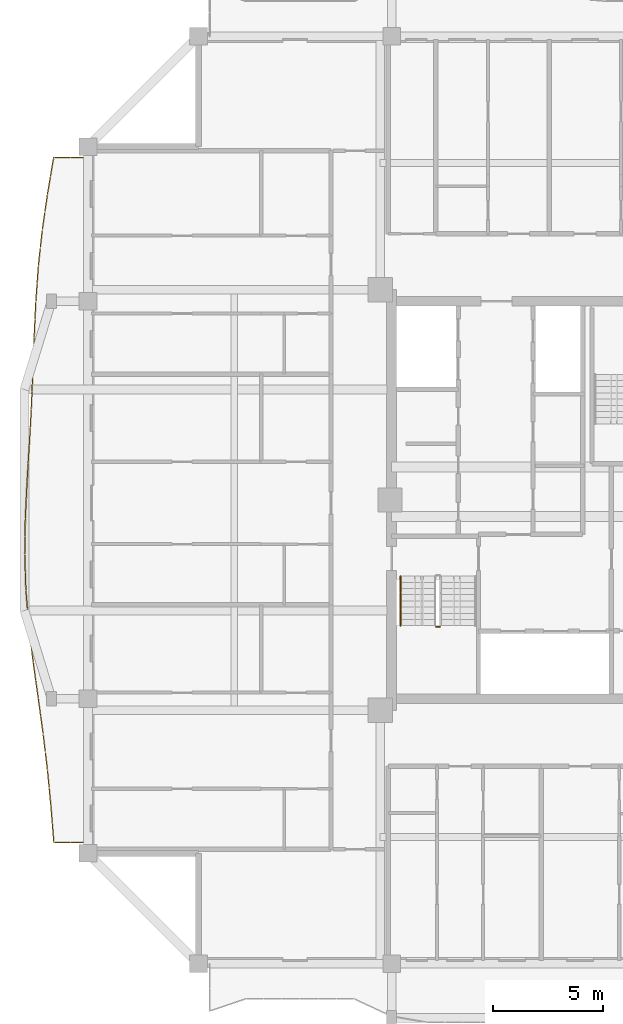
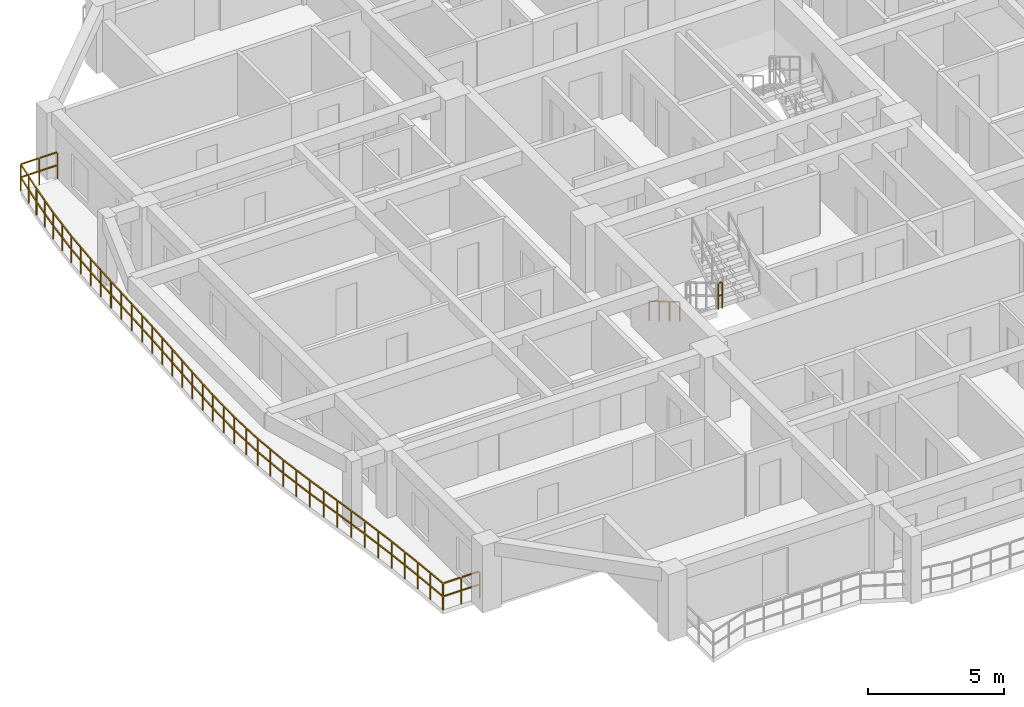
# One storey, part 10 of 13: 3 railings.
"""IFC4 building model written with IfcOpenShell, lengths in metres."""

from ifc_helpers import new_model, si_unit, direction, frame, origin, origin_2d, place, context, subcontext, project, spatial, rectangle, extrude, material, type_object, element, save


model = new_model("IFC4")

# Units and contexts
model_context = context("Model", 3, precision=1e-05, world=origin(), true_north=direction((0.0, 1.0)))
body_context = subcontext(model_context, "Body", "Model", "MODEL_VIEW")
ifc_project = project(units=[si_unit("LENGTHUNIT", "METRE"), si_unit("AREAUNIT", "SQUARE_METRE"), si_unit("VOLUMEUNIT", "CUBIC_METRE"), si_unit("PLANEANGLEUNIT", "RADIAN"), si_unit("MASSUNIT", "GRAM", prefix="KILO")], contexts=[model_context])

# Site, building, storey
site_placement = place(None, origin())
site = spatial("IfcSite", under=ifc_project, at=site_placement, CompositionType="ELEMENT")
building_placement = place(site_placement, origin())
building = spatial("IfcBuilding", under=site, at=building_placement, Name="Saelheon Loggia Tower", CompositionType="ELEMENT")
storey_placement = place(building_placement, frame((0.0, 0.0, 179.800048828125)))
storey = spatial("IfcBuildingStorey", under=building, at=storey_placement, Name="L56", CompositionType="ELEMENT", Elevation=179.800048828125)

# Railings
ifc_material_1 = material(Name="Architectural Precast Concrete and Laminated Glass Guard", Category="concrete")
railing_type_1 = type_object("IfcRailingType", Name="Guard_Loggia_RL_LOG", PredefinedType="BALUSTRADE", material=ifc_material_1)
railing_1_placement = place(storey_placement, frame((17.75, 42.5, 0.0)))
element("IfcRailing", 1, at=railing_1_placement, inside=storey, type_object=railing_type_1, Name="L56 West Loggia Balustrade", PredefinedType="BALUSTRADE", context=body_context, shape_type="SweptSolid", body=[
    extrude(rectangle(XDim=0.048095703125, YDim=0.048095703125, at=origin_2d()), frame((-0.033203125, 0.0, 1.19580078125), z_axis=(-1.0, 0.0, 0.0), x_axis=(0.0, -1.0, 0.0)), (0.0, 0.0, 1.0), 0.71337890625),
    extrude(rectangle(XDim=0.048095703125, YDim=0.048095703125, at=origin_2d()), frame((-0.033203125, 0.0, 0.60986328125), z_axis=(-1.0, 0.0, 0.0), x_axis=(0.0, -1.0, 0.0)), (0.0, 0.0, 1.0), 0.71337890625),
    extrude(rectangle(XDim=0.048095703125, YDim=0.048095703125, at=origin_2d()), frame((-0.813232421875, 0.0, 1.19580078125), z_axis=(-1.0, 0.0, 0.0), x_axis=(0.0, -1.0, 0.0)), (0.0, 0.0, 1.0), 0.71337890625),
    extrude(rectangle(XDim=0.048095703125, YDim=0.048095703125, at=origin_2d()), frame((-0.813232421875, 0.0, 0.60986328125), z_axis=(-1.0, 0.0, 0.0), x_axis=(0.0, -1.0, 0.0)), (0.0, 0.0, 1.0), 0.71337890625),
    extrude(rectangle(XDim=0.048095703125, YDim=0.048095703125, at=origin_2d()), frame((-1.5654296875, -0.03271484375, 1.19580078125), z_axis=(-0.167149551065, -0.985931553192, 0.0), x_axis=(0.985931553192, -0.167149551065, 0.0)), (0.0, 0.0, 1.0), 0.760986328125),
    extrude(rectangle(XDim=0.048095703125, YDim=0.048095703125, at=origin_2d()), frame((-1.5654296875, -0.03271484375, 0.60986328125), z_axis=(-0.167149551065, -0.985931553192, 0.0), x_axis=(0.985931553192, -0.167149551065, 0.0)), (0.0, 0.0, 1.0), 0.760986328125),
    extrude(rectangle(XDim=0.048095703125, YDim=0.048095703125, at=origin_2d()), frame((-1.70361328125, -0.8486328125, 1.19580078125), z_axis=(-0.167149551065, -0.985931553192, 0.0), x_axis=(0.985931553192, -0.167149551065, 0.0)), (0.0, 0.0, 1.0), 0.760986328125),
    extrude(rectangle(XDim=0.048095703125, YDim=0.048095703125, at=origin_2d()), frame((-1.70361328125, -0.8486328125, 0.60986328125), z_axis=(-0.167149551065, -0.985931553192, 0.0), x_axis=(0.985931553192, -0.167149551065, 0.0)), (0.0, 0.0, 1.0), 0.760986328125),
    extrude(rectangle(XDim=0.048095703125, YDim=0.048095703125, at=origin_2d()), frame((-1.84130859375, -1.66455078125, 1.19580078125), z_axis=(-0.144074303004, -0.989566872533, 0.0), x_axis=(0.989566872533, -0.144074303004, 0.0)), (0.0, 0.0, 1.0), 0.7578125),
    extrude(rectangle(XDim=0.048095703125, YDim=0.048095703125, at=origin_2d()), frame((-1.84130859375, -1.66455078125, 0.60986328125), z_axis=(-0.144074303004, -0.989566872533, 0.0), x_axis=(0.989566872533, -0.144074303004, 0.0)), (0.0, 0.0, 1.0), 0.7578125),
    extrude(rectangle(XDim=0.048095703125, YDim=0.048095703125, at=origin_2d()), frame((-1.9599609375, -2.480224609375, 1.19580078125), z_axis=(-0.144074303004, -0.989566872533, 0.0), x_axis=(0.989566872533, -0.144074303004, 0.0)), (0.0, 0.0, 1.0), 0.7578125),
    extrude(rectangle(XDim=0.048095703125, YDim=0.048095703125, at=origin_2d()), frame((-1.9599609375, -2.480224609375, 0.60986328125), z_axis=(-0.144074303004, -0.989566872533, 0.0), x_axis=(0.989566872533, -0.144074303004, 0.0)), (0.0, 0.0, 1.0), 0.7578125),
    extrude(rectangle(XDim=0.048095703125, YDim=0.048095703125, at=origin_2d()), frame((-2.07763671875, -3.296142578125, 1.19580078125), z_axis=(-0.107998454426, -0.994151061882, 0.0), x_axis=(0.994151061882, -0.107998454426, 0.0)), (0.0, 0.0, 1.0), 0.754150390625),
    extrude(rectangle(XDim=0.048095703125, YDim=0.048095703125, at=origin_2d()), frame((-2.07763671875, -3.296142578125, 0.60986328125), z_axis=(-0.107998454426, -0.994151061882, 0.0), x_axis=(0.994151061882, -0.107998454426, 0.0)), (0.0, 0.0, 1.0), 0.754150390625),
    extrude(rectangle(XDim=0.048095703125, YDim=0.048095703125, at=origin_2d()), frame((-2.166259765625, -4.112060546875, 1.19580078125), z_axis=(-0.107998454426, -0.994151061882, 0.0), x_axis=(0.994151061882, -0.107998454426, 0.0)), (0.0, 0.0, 1.0), 0.754150390625),
    extrude(rectangle(XDim=0.048095703125, YDim=0.048095703125, at=origin_2d()), frame((-2.166259765625, -4.112060546875, 0.60986328125), z_axis=(-0.107998454426, -0.994151061882, 0.0), x_axis=(0.994151061882, -0.107998454426, 0.0)), (0.0, 0.0, 1.0), 0.754150390625),
    extrude(rectangle(XDim=0.048095703125, YDim=0.048095703125, at=origin_2d()), frame((-2.253662109375, -4.927978515625, 1.19580078125), z_axis=(-0.071491000488, -0.997441244811, 0.0), x_axis=(0.997441244811, -0.071491000488, 0.0)), (0.0, 0.0, 1.0), 0.75146484375),
    extrude(rectangle(XDim=0.048095703125, YDim=0.048095703125, at=origin_2d()), frame((-2.253662109375, -4.927978515625, 0.60986328125), z_axis=(-0.071491000488, -0.997441244811, 0.0), x_axis=(0.997441244811, -0.071491000488, 0.0)), (0.0, 0.0, 1.0), 0.75146484375),
    extrude(rectangle(XDim=0.048095703125, YDim=0.048095703125, at=origin_2d()), frame((-2.31201171875, -5.74365234375, 1.19580078125), z_axis=(-0.071491000488, -0.997441244811, 0.0), x_axis=(0.997441244811, -0.071491000488, 0.0)), (0.0, 0.0, 1.0), 0.75146484375),
    extrude(rectangle(XDim=0.048095703125, YDim=0.048095703125, at=origin_2d()), frame((-2.31201171875, -5.74365234375, 0.60986328125), z_axis=(-0.071491000488, -0.997441244811, 0.0), x_axis=(0.997441244811, -0.071491000488, 0.0)), (0.0, 0.0, 1.0), 0.75146484375),
    extrude(rectangle(XDim=0.048095703125, YDim=0.048095703125, at=origin_2d()), frame((-2.36962890625, -6.5595703125, 1.19580078125), z_axis=(-0.045739897539, -0.998953383183, 0.0), x_axis=(0.998953383183, -0.045739897539, 0.0)), (0.0, 0.0, 1.0), 0.750244140625),
    extrude(rectangle(XDim=0.048095703125, YDim=0.048095703125, at=origin_2d()), frame((-2.36962890625, -6.5595703125, 0.60986328125), z_axis=(-0.045739897539, -0.998953383183, 0.0), x_axis=(0.998953383183, -0.045739897539, 0.0)), (0.0, 0.0, 1.0), 0.750244140625),
    extrude(rectangle(XDim=0.048095703125, YDim=0.048095703125, at=origin_2d()), frame((-2.406982421875, -7.375244140625, 1.19580078125), z_axis=(-0.045739897539, -0.998953383183, 0.0), x_axis=(0.998953383183, -0.045739897539, 0.0)), (0.0, 0.0, 1.0), 0.750244140625),
    extrude(rectangle(XDim=0.048095703125, YDim=0.048095703125, at=origin_2d()), frame((-2.406982421875, -7.375244140625, 0.60986328125), z_axis=(-0.045739897539, -0.998953383183, 0.0), x_axis=(0.998953383183, -0.045739897539, 0.0)), (0.0, 0.0, 1.0), 0.750244140625),
    extrude(rectangle(XDim=0.048095703125, YDim=0.048095703125, at=origin_2d()), frame((-2.444091796875, -8.191162109375, 1.19580078125), z_axis=(-0.037382202648, -0.999301041191, 0.0), x_axis=(0.999301041191, -0.037382202648, 0.0)), (0.0, 0.0, 1.0), 0.75),
    extrude(rectangle(XDim=0.048095703125, YDim=0.048095703125, at=origin_2d()), frame((-2.444091796875, -8.191162109375, 0.60986328125), z_axis=(-0.037382202648, -0.999301041191, 0.0), x_axis=(0.999301041191, -0.037382202648, 0.0)), (0.0, 0.0, 1.0), 0.75),
    extrude(rectangle(XDim=0.048095703125, YDim=0.048095703125, at=origin_2d()), frame((-2.474609375, -9.007080078125, 1.19580078125), z_axis=(-0.037382202648, -0.999301041191, 0.0), x_axis=(0.999301041191, -0.037382202648, 0.0)), (0.0, 0.0, 1.0), 0.75),
    extrude(rectangle(XDim=0.048095703125, YDim=0.048095703125, at=origin_2d()), frame((-2.474609375, -9.007080078125, 0.60986328125), z_axis=(-0.037382202648, -0.999301041191, 0.0), x_axis=(0.999301041191, -0.037382202648, 0.0)), (0.0, 0.0, 1.0), 0.75),
    extrude(rectangle(XDim=0.048095703125, YDim=0.048095703125, at=origin_2d()), frame((-2.50537109375, -9.82275390625, 1.19580078125), z_axis=(-0.043352887665, -0.999059821598, 0.0), x_axis=(0.999059821598, -0.043352887665, 0.0)), (0.0, 0.0, 1.0), 0.75),
    extrude(rectangle(XDim=0.048095703125, YDim=0.048095703125, at=origin_2d()), frame((-2.50537109375, -9.82275390625, 0.60986328125), z_axis=(-0.043352887665, -0.999059821598, 0.0), x_axis=(0.999059821598, -0.043352887665, 0.0)), (0.0, 0.0, 1.0), 0.75),
    extrude(rectangle(XDim=0.048095703125, YDim=0.048095703125, at=origin_2d()), frame((-2.540771484375, -10.638671875, 1.19580078125), z_axis=(-0.043352887665, -0.999059821598, 0.0), x_axis=(0.999059821598, -0.043352887665, 0.0)), (0.0, 0.0, 1.0), 0.75),
    extrude(rectangle(XDim=0.048095703125, YDim=0.048095703125, at=origin_2d()), frame((-2.540771484375, -10.638671875, 0.60986328125), z_axis=(-0.043352887665, -0.999059821598, 0.0), x_axis=(0.999059821598, -0.043352887665, 0.0)), (0.0, 0.0, 1.0), 0.75),
    extrude(rectangle(XDim=0.048095703125, YDim=0.048095703125, at=origin_2d()), frame((-2.576416015625, -11.454345703125, 1.19580078125), z_axis=(-0.054990000167, -0.998486905213, 0.0), x_axis=(0.998486905213, -0.054990000167, 0.0)), (0.0, 0.0, 1.0), 0.75048828125),
    extrude(rectangle(XDim=0.048095703125, YDim=0.048095703125, at=origin_2d()), frame((-2.576416015625, -11.454345703125, 0.60986328125), z_axis=(-0.054990000167, -0.998486905213, 0.0), x_axis=(0.998486905213, -0.054990000167, 0.0)), (0.0, 0.0, 1.0), 0.75048828125),
    extrude(rectangle(XDim=0.048095703125, YDim=0.048095703125, at=origin_2d()), frame((-2.621337890625, -12.27001953125, 1.19580078125), z_axis=(-0.054990000167, -0.998486905213, 0.0), x_axis=(0.998486905213, -0.054990000167, 0.0)), (0.0, 0.0, 1.0), 0.75048828125),
    extrude(rectangle(XDim=0.048095703125, YDim=0.048095703125, at=origin_2d()), frame((-2.621337890625, -12.27001953125, 0.60986328125), z_axis=(-0.054990000167, -0.998486905213, 0.0), x_axis=(0.998486905213, -0.054990000167, 0.0)), (0.0, 0.0, 1.0), 0.75048828125),
    extrude(rectangle(XDim=0.048095703125, YDim=0.048095703125, at=origin_2d()), frame((-2.66650390625, -13.085693359375, 1.19580078125), z_axis=(-0.05944876262, -0.998231358265, 0.0), x_axis=(0.998231358265, -0.05944876262, 0.0)), (0.0, 0.0, 1.0), 0.750732421875),
    extrude(rectangle(XDim=0.048095703125, YDim=0.048095703125, at=origin_2d()), frame((-2.66650390625, -13.085693359375, 0.60986328125), z_axis=(-0.05944876262, -0.998231358265, 0.0), x_axis=(0.998231358265, -0.05944876262, 0.0)), (0.0, 0.0, 1.0), 0.750732421875),
    extrude(rectangle(XDim=0.048095703125, YDim=0.048095703125, at=origin_2d()), frame((-2.715087890625, -13.9013671875, 1.19580078125), z_axis=(-0.05944876262, -0.998231358265, 0.0), x_axis=(0.998231358265, -0.05944876262, 0.0)), (0.0, 0.0, 1.0), 0.750732421875),
    extrude(rectangle(XDim=0.048095703125, YDim=0.048095703125, at=origin_2d()), frame((-2.715087890625, -13.9013671875, 0.60986328125), z_axis=(-0.05944876262, -0.998231358265, 0.0), x_axis=(0.998231358265, -0.05944876262, 0.0)), (0.0, 0.0, 1.0), 0.750732421875),
    extrude(rectangle(XDim=0.048095703125, YDim=0.048095703125, at=origin_2d()), frame((-2.76318359375, -14.71728515625, 1.19580078125), z_axis=(-0.047373442202, -0.998877248201, 0.0), x_axis=(0.998877248201, -0.047373442202, 0.0)), (0.0, 0.0, 1.0), 0.75048828125),
    extrude(rectangle(XDim=0.048095703125, YDim=0.048095703125, at=origin_2d()), frame((-2.76318359375, -14.71728515625, 0.60986328125), z_axis=(-0.047373442202, -0.998877248201, 0.0), x_axis=(0.998877248201, -0.047373442202, 0.0)), (0.0, 0.0, 1.0), 0.75048828125),
    extrude(rectangle(XDim=0.048095703125, YDim=0.048095703125, at=origin_2d()), frame((-2.802001953125, -15.533203125, 1.19580078125), z_axis=(-0.047373442202, -0.998877248201, 0.0), x_axis=(0.998877248201, -0.047373442202, 0.0)), (0.0, 0.0, 1.0), 0.75048828125),
    extrude(rectangle(XDim=0.048095703125, YDim=0.048095703125, at=origin_2d()), frame((-2.802001953125, -15.533203125, 0.60986328125), z_axis=(-0.047373442202, -0.998877248201, 0.0), x_axis=(0.998877248201, -0.047373442202, 0.0)), (0.0, 0.0, 1.0), 0.75048828125),
    extrude(rectangle(XDim=0.048095703125, YDim=0.048095703125, at=origin_2d()), frame((-2.839599609375, -16.34912109375, 1.19580078125), z_axis=(-0.015559989428, -0.999878936036, 0.0), x_axis=(0.999878936036, -0.015559989428, 0.0)), (0.0, 0.0, 1.0), 0.74951171875),
    extrude(rectangle(XDim=0.048095703125, YDim=0.048095703125, at=origin_2d()), frame((-2.839599609375, -16.34912109375, 0.60986328125), z_axis=(-0.015559989428, -0.999878936036, 0.0), x_axis=(0.999878936036, -0.015559989428, 0.0)), (0.0, 0.0, 1.0), 0.74951171875),
    extrude(rectangle(XDim=0.048095703125, YDim=0.048095703125, at=origin_2d()), frame((-2.852294921875, -17.1650390625, 1.19580078125), z_axis=(-0.015559989428, -0.999878936036, 0.0), x_axis=(0.999878936036, -0.015559989428, 0.0)), (0.0, 0.0, 1.0), 0.74951171875),
    extrude(rectangle(XDim=0.048095703125, YDim=0.048095703125, at=origin_2d()), frame((-2.852294921875, -17.1650390625, 0.60986328125), z_axis=(-0.015559989428, -0.999878936036, 0.0), x_axis=(0.999878936036, -0.015559989428, 0.0)), (0.0, 0.0, 1.0), 0.74951171875),
    extrude(rectangle(XDim=0.048095703125, YDim=0.048095703125, at=origin_2d()), frame((-2.863525390625, -17.980712890625, 1.19580078125), z_axis=(0.030963894681, -0.999520503655, 0.0), x_axis=(0.999520503655, 0.030963894681, 0.0)), (0.0, 0.0, 1.0), 0.74951171875),
    extrude(rectangle(XDim=0.048095703125, YDim=0.048095703125, at=origin_2d()), frame((-2.863525390625, -17.980712890625, 0.60986328125), z_axis=(0.030963894681, -0.999520503655, 0.0), x_axis=(0.999520503655, 0.030963894681, 0.0)), (0.0, 0.0, 1.0), 0.74951171875),
    extrude(rectangle(XDim=0.048095703125, YDim=0.048095703125, at=origin_2d()), frame((-2.838134765625, -18.79638671875, 1.19580078125), z_axis=(0.030963894681, -0.999520503655, 0.0), x_axis=(0.999520503655, 0.030963894681, 0.0)), (0.0, 0.0, 1.0), 0.74951171875),
    extrude(rectangle(XDim=0.048095703125, YDim=0.048095703125, at=origin_2d()), frame((-2.838134765625, -18.79638671875, 0.60986328125), z_axis=(0.030963894681, -0.999520503655, 0.0), x_axis=(0.999520503655, 0.030963894681, 0.0)), (0.0, 0.0, 1.0), 0.74951171875),
    extrude(rectangle(XDim=0.048095703125, YDim=0.048095703125, at=origin_2d()), frame((-2.811279296875, -19.612060546875, 1.19580078125), z_axis=(0.080243172339, -0.996775317357, 0.0), x_axis=(0.996775317357, 0.080243172339, 0.0)), (0.0, 0.0, 1.0), 0.751953125),
    extrude(rectangle(XDim=0.048095703125, YDim=0.048095703125, at=origin_2d()), frame((-2.811279296875, -19.612060546875, 0.60986328125), z_axis=(0.080243172339, -0.996775317357, 0.0), x_axis=(0.996775317357, 0.080243172339, 0.0)), (0.0, 0.0, 1.0), 0.751953125),
    extrude(rectangle(XDim=0.048095703125, YDim=0.048095703125, at=origin_2d()), frame((-2.74560546875, -20.427734375, 1.19580078125), z_axis=(0.080243172339, -0.996775317357, 0.0), x_axis=(0.996775317357, 0.080243172339, 0.0)), (0.0, 0.0, 1.0), 0.751953125),
    extrude(rectangle(XDim=0.048095703125, YDim=0.048095703125, at=origin_2d()), frame((-2.74560546875, -20.427734375, 0.60986328125), z_axis=(0.080243172339, -0.996775317357, 0.0), x_axis=(0.996775317357, 0.080243172339, 0.0)), (0.0, 0.0, 1.0), 0.751953125),
    extrude(rectangle(XDim=0.048095703125, YDim=0.048095703125, at=origin_2d()), frame((-2.6787109375, -21.243408203125, 1.19580078125), z_axis=(0.119151078954, -0.992876135469, 0.0), x_axis=(0.992876135469, 0.119151078954, 0.0)), (0.0, 0.0, 1.0), 0.755126953125),
    extrude(rectangle(XDim=0.048095703125, YDim=0.048095703125, at=origin_2d()), frame((-2.6787109375, -21.243408203125, 0.60986328125), z_axis=(0.119151078954, -0.992876135469, 0.0), x_axis=(0.992876135469, 0.119151078954, 0.0)), (0.0, 0.0, 1.0), 0.755126953125),
    extrude(rectangle(XDim=0.048095703125, YDim=0.048095703125, at=origin_2d()), frame((-2.580810546875, -22.059326171875, 1.19580078125), z_axis=(0.119151078954, -0.992876135469, 0.0), x_axis=(0.992876135469, 0.119151078954, 0.0)), (0.0, 0.0, 1.0), 0.755126953125),
    extrude(rectangle(XDim=0.048095703125, YDim=0.048095703125, at=origin_2d()), frame((-2.580810546875, -22.059326171875, 0.60986328125), z_axis=(0.119151078954, -0.992876135469, 0.0), x_axis=(0.992876135469, 0.119151078954, 0.0)), (0.0, 0.0, 1.0), 0.755126953125),
    extrude(rectangle(XDim=0.048095703125, YDim=0.048095703125, at=origin_2d()), frame((-2.482177734375, -22.875, 1.19580078125), z_axis=(0.138412382721, -0.990374682789, 0.0), x_axis=(0.990374682789, 0.138412382721, 0.0)), (0.0, 0.0, 1.0), 0.75732421875),
    extrude(rectangle(XDim=0.048095703125, YDim=0.048095703125, at=origin_2d()), frame((-2.482177734375, -22.875, 0.60986328125), z_axis=(0.138412382721, -0.990374682789, 0.0), x_axis=(0.990374682789, 0.138412382721, 0.0)), (0.0, 0.0, 1.0), 0.75732421875),
    extrude(rectangle(XDim=0.048095703125, YDim=0.048095703125, at=origin_2d()), frame((-2.3681640625, -23.690673828125, 1.19580078125), z_axis=(0.138412382721, -0.990374682789, 0.0), x_axis=(0.990374682789, 0.138412382721, 0.0)), (0.0, 0.0, 1.0), 0.75732421875),
    extrude(rectangle(XDim=0.048095703125, YDim=0.048095703125, at=origin_2d()), frame((-2.3681640625, -23.690673828125, 0.60986328125), z_axis=(0.138412382721, -0.990374682789, 0.0), x_axis=(0.990374682789, 0.138412382721, 0.0)), (0.0, 0.0, 1.0), 0.75732421875),
    extrude(rectangle(XDim=0.048095703125, YDim=0.048095703125, at=origin_2d()), frame((-2.254150390625, -24.506591796875, 1.19580078125), z_axis=(0.136231070646, -0.990677089364, 0.0), x_axis=(0.990677089364, 0.136231070646, 0.0)), (0.0, 0.0, 1.0), 0.757080078125),
    extrude(rectangle(XDim=0.048095703125, YDim=0.048095703125, at=origin_2d()), frame((-2.254150390625, -24.506591796875, 0.60986328125), z_axis=(0.136231070646, -0.990677089364, 0.0), x_axis=(0.990677089364, 0.136231070646, 0.0)), (0.0, 0.0, 1.0), 0.757080078125),
    extrude(rectangle(XDim=0.048095703125, YDim=0.048095703125, at=origin_2d()), frame((-2.14208984375, -25.322265625, 1.19580078125), z_axis=(0.136231070646, -0.990677089364, 0.0), x_axis=(0.990677089364, 0.136231070646, 0.0)), (0.0, 0.0, 1.0), 0.757080078125),
    extrude(rectangle(XDim=0.048095703125, YDim=0.048095703125, at=origin_2d()), frame((-2.14208984375, -25.322265625, 0.60986328125), z_axis=(0.136231070646, -0.990677089364, 0.0), x_axis=(0.990677089364, 0.136231070646, 0.0)), (0.0, 0.0, 1.0), 0.757080078125),
    extrude(rectangle(XDim=0.048095703125, YDim=0.048095703125, at=origin_2d()), frame((-2.030517578125, -26.13818359375, 1.19580078125), z_axis=(0.118418690812, -0.992963752443, 0.0), x_axis=(0.992963752443, 0.118418690812, 0.0)), (0.0, 0.0, 1.0), 0.755126953125),
    extrude(rectangle(XDim=0.048095703125, YDim=0.048095703125, at=origin_2d()), frame((-2.030517578125, -26.13818359375, 0.60986328125), z_axis=(0.118418690812, -0.992963752443, 0.0), x_axis=(0.992963752443, 0.118418690812, 0.0)), (0.0, 0.0, 1.0), 0.755126953125),
    extrude(rectangle(XDim=0.048095703125, YDim=0.048095703125, at=origin_2d()), frame((-1.93310546875, -26.9541015625, 1.19580078125), z_axis=(0.118418690812, -0.992963752443, 0.0), x_axis=(0.992963752443, 0.118418690812, 0.0)), (0.0, 0.0, 1.0), 0.755126953125),
    extrude(rectangle(XDim=0.048095703125, YDim=0.048095703125, at=origin_2d()), frame((-1.93310546875, -26.9541015625, 0.60986328125), z_axis=(0.118418690812, -0.992963752443, 0.0), x_axis=(0.992963752443, 0.118418690812, 0.0)), (0.0, 0.0, 1.0), 0.755126953125),
    extrude(rectangle(XDim=0.048095703125, YDim=0.048095703125, at=origin_2d()), frame((-1.836669921875, -27.769775390625, 1.19580078125), z_axis=(0.096067152707, -0.995374855103, 0.0), x_axis=(0.995374855103, 0.096067152707, 0.0)), (0.0, 0.0, 1.0), 0.753173828125),
    extrude(rectangle(XDim=0.048095703125, YDim=0.048095703125, at=origin_2d()), frame((-1.836669921875, -27.769775390625, 0.60986328125), z_axis=(0.096067152707, -0.995374855103, 0.0), x_axis=(0.995374855103, 0.096067152707, 0.0)), (0.0, 0.0, 1.0), 0.753173828125),
    extrude(rectangle(XDim=0.048095703125, YDim=0.048095703125, at=origin_2d()), frame((-1.7578125, -28.585693359375, 1.19580078125), z_axis=(0.096067152707, -0.995374855103, 0.0), x_axis=(0.995374855103, 0.096067152707, 0.0)), (0.0, 0.0, 1.0), 0.753173828125),
    extrude(rectangle(XDim=0.048095703125, YDim=0.048095703125, at=origin_2d()), frame((-1.7578125, -28.585693359375, 0.60986328125), z_axis=(0.096067152707, -0.995374855103, 0.0), x_axis=(0.995374855103, 0.096067152707, 0.0)), (0.0, 0.0, 1.0), 0.753173828125),
    extrude(rectangle(XDim=0.048095703125, YDim=0.048095703125, at=origin_2d()), frame((-1.6796875, -29.401611328125, 1.19580078125), z_axis=(0.080835891672, -0.996727424433, 0.0), x_axis=(0.996727424433, 0.080835891672, 0.0)), (0.0, 0.0, 1.0), 0.751953125),
    extrude(rectangle(XDim=0.048095703125, YDim=0.048095703125, at=origin_2d()), frame((-1.6796875, -29.401611328125, 0.60986328125), z_axis=(0.080835891672, -0.996727424433, 0.0), x_axis=(0.996727424433, 0.080835891672, 0.0)), (0.0, 0.0, 1.0), 0.751953125),
    extrude(rectangle(XDim=0.048095703125, YDim=0.048095703125, at=origin_2d()), frame((-1.613525390625, -30.21728515625, 1.19580078125), z_axis=(0.080835891672, -0.996727424433, 0.0), x_axis=(0.996727424433, 0.080835891672, 0.0)), (0.0, 0.0, 1.0), 0.751953125),
    extrude(rectangle(XDim=0.048095703125, YDim=0.048095703125, at=origin_2d()), frame((-1.613525390625, -30.21728515625, 0.60986328125), z_axis=(0.080835891672, -0.996727424433, 0.0), x_axis=(0.996727424433, 0.080835891672, 0.0)), (0.0, 0.0, 1.0), 0.751953125),
    extrude(rectangle(XDim=0.048095703125, YDim=0.048095703125, at=origin_2d()), frame((-1.516845703125, -31.0, 1.19580078125), z_axis=(1.0, 0.0, 0.0), x_axis=(0.0, 1.0, 0.0)), (0.0, 0.0, 1.0), 0.70849609375),
    extrude(rectangle(XDim=0.048095703125, YDim=0.048095703125, at=origin_2d()), frame((-1.516845703125, -31.0, 0.60986328125), z_axis=(1.0, 0.0, 0.0), x_axis=(0.0, 1.0, 0.0)), (0.0, 0.0, 1.0), 0.70849609375),
    extrude(rectangle(XDim=0.048095703125, YDim=0.048095703125, at=origin_2d()), frame((-0.74169921875, -31.0, 1.19580078125), z_axis=(1.0, 0.0, 0.0), x_axis=(0.0, 1.0, 0.0)), (0.0, 0.0, 1.0), 0.70849609375),
    extrude(rectangle(XDim=0.048095703125, YDim=0.048095703125, at=origin_2d()), frame((-0.74169921875, -31.0, 0.60986328125), z_axis=(1.0, 0.0, 0.0), x_axis=(0.0, 1.0, 0.0)), (0.0, 0.0, 1.0), 0.70849609375),
    extrude(rectangle(XDim=0.0419921875, YDim=0.0419921875, at=origin_2d()), origin(), (0.0, 0.0, 1.0), 1.16796875),
    extrude(rectangle(XDim=0.0419921875, YDim=0.0419921875, at=origin_2d()), frame((-0.77978515625, 0.0, 0.0)), (0.0, 0.0, 1.0), 1.16796875),
    extrude(rectangle(XDim=0.0419921875, YDim=0.0419921875, at=origin_2d()), frame((-1.559814453125, 0.0, 0.0)), (0.0, 0.0, 1.0), 1.16796875),
    extrude(rectangle(XDim=0.0419921875, YDim=0.0419921875, at=origin_2d()), frame((-1.6982421875, -0.81591796875, 0.0)), (0.0, 0.0, 1.0), 1.16796875),
    extrude(rectangle(XDim=0.0419921875, YDim=0.0419921875, at=origin_2d()), frame((-1.83642578125, -1.631591796875, 0.0)), (0.0, 0.0, 1.0), 1.16796875),
    extrude(rectangle(XDim=0.0419921875, YDim=0.0419921875, at=origin_2d()), frame((-1.955078125, -2.447265625, 0.0)), (0.0, 0.0, 1.0), 1.16796875),
    extrude(rectangle(XDim=0.0419921875, YDim=0.0419921875, at=origin_2d()), frame((-2.073974609375, -3.26318359375, 0.0)), (0.0, 0.0, 1.0), 1.16796875),
    extrude(rectangle(XDim=0.0419921875, YDim=0.0419921875, at=origin_2d()), frame((-2.16259765625, -4.0791015625, 0.0)), (0.0, 0.0, 1.0), 1.16796875),
    extrude(rectangle(XDim=0.0419921875, YDim=0.0419921875, at=origin_2d()), frame((-2.251220703125, -4.894775390625, 0.0)), (0.0, 0.0, 1.0), 1.16796875),
    extrude(rectangle(XDim=0.0419921875, YDim=0.0419921875, at=origin_2d()), frame((-2.3095703125, -5.71044921875, 0.0)), (0.0, 0.0, 1.0), 1.16796875),
    extrude(rectangle(XDim=0.0419921875, YDim=0.0419921875, at=origin_2d()), frame((-2.3681640625, -6.5263671875, 0.0)), (0.0, 0.0, 1.0), 1.16796875),
    extrude(rectangle(XDim=0.0419921875, YDim=0.0419921875, at=origin_2d()), frame((-2.405517578125, -7.34228515625, 0.0)), (0.0, 0.0, 1.0), 1.16796875),
    extrude(rectangle(XDim=0.0419921875, YDim=0.0419921875, at=origin_2d()), frame((-2.44287109375, -8.157958984375, 0.0)), (0.0, 0.0, 1.0), 1.16796875),
    extrude(rectangle(XDim=0.0419921875, YDim=0.0419921875, at=origin_2d()), frame((-2.473388671875, -8.9736328125, 0.0)), (0.0, 0.0, 1.0), 1.16796875),
    extrude(rectangle(XDim=0.0419921875, YDim=0.0419921875, at=origin_2d()), frame((-2.50390625, -9.78955078125, 0.0)), (0.0, 0.0, 1.0), 1.16796875),
    extrude(rectangle(XDim=0.0419921875, YDim=0.0419921875, at=origin_2d()), frame((-2.539306640625, -10.60546875, 0.0)), (0.0, 0.0, 1.0), 1.16796875),
    extrude(rectangle(XDim=0.0419921875, YDim=0.0419921875, at=origin_2d()), frame((-2.57470703125, -11.421142578125, 0.0)), (0.0, 0.0, 1.0), 1.16796875),
    extrude(rectangle(XDim=0.0419921875, YDim=0.0419921875, at=origin_2d()), frame((-2.61962890625, -12.23681640625, 0.0)), (0.0, 0.0, 1.0), 1.16796875),
    extrude(rectangle(XDim=0.0419921875, YDim=0.0419921875, at=origin_2d()), frame((-2.66455078125, -13.052490234375, 0.0)), (0.0, 0.0, 1.0), 1.16796875),
    extrude(rectangle(XDim=0.0419921875, YDim=0.0419921875, at=origin_2d()), frame((-2.713134765625, -13.8681640625, 0.0)), (0.0, 0.0, 1.0), 1.16796875),
    extrude(rectangle(XDim=0.0419921875, YDim=0.0419921875, at=origin_2d()), frame((-2.76171875, -14.68408203125, 0.0)), (0.0, 0.0, 1.0), 1.16796875),
    extrude(rectangle(XDim=0.0419921875, YDim=0.0419921875, at=origin_2d()), frame((-2.80029296875, -15.5, 0.0)), (0.0, 0.0, 1.0), 1.16796875),
    extrude(rectangle(XDim=0.0419921875, YDim=0.0419921875, at=origin_2d()), frame((-2.839111328125, -16.31591796875, 0.0)), (0.0, 0.0, 1.0), 1.16796875),
    extrude(rectangle(XDim=0.0419921875, YDim=0.0419921875, at=origin_2d()), frame((-2.851806640625, -17.1318359375, 0.0)), (0.0, 0.0, 1.0), 1.16796875),
    extrude(rectangle(XDim=0.0419921875, YDim=0.0419921875, at=origin_2d()), frame((-2.864501953125, -17.947509765625, 0.0)), (0.0, 0.0, 1.0), 1.16796875),
    extrude(rectangle(XDim=0.0419921875, YDim=0.0419921875, at=origin_2d()), frame((-2.83935546875, -18.76318359375, 0.0)), (0.0, 0.0, 1.0), 1.16796875),
    extrude(rectangle(XDim=0.0419921875, YDim=0.0419921875, at=origin_2d()), frame((-2.81396484375, -19.578857421875, 0.0)), (0.0, 0.0, 1.0), 1.16796875),
    extrude(rectangle(XDim=0.0419921875, YDim=0.0419921875, at=origin_2d()), frame((-2.748291015625, -20.39453125, 0.0)), (0.0, 0.0, 1.0), 1.16796875),
    extrude(rectangle(XDim=0.0419921875, YDim=0.0419921875, at=origin_2d()), frame((-2.6826171875, -21.21044921875, 0.0)), (0.0, 0.0, 1.0), 1.16796875),
    extrude(rectangle(XDim=0.0419921875, YDim=0.0419921875, at=origin_2d()), frame((-2.584716796875, -22.0263671875, 0.0)), (0.0, 0.0, 1.0), 1.16796875),
    extrude(rectangle(XDim=0.0419921875, YDim=0.0419921875, at=origin_2d()), frame((-2.48681640625, -22.842041015625, 0.0)), (0.0, 0.0, 1.0), 1.16796875),
    extrude(rectangle(XDim=0.0419921875, YDim=0.0419921875, at=origin_2d()), frame((-2.372802734375, -23.65771484375, 0.0)), (0.0, 0.0, 1.0), 1.16796875),
    extrude(rectangle(XDim=0.0419921875, YDim=0.0419921875, at=origin_2d()), frame((-2.2587890625, -24.4736328125, 0.0)), (0.0, 0.0, 1.0), 1.16796875),
    extrude(rectangle(XDim=0.0419921875, YDim=0.0419921875, at=origin_2d()), frame((-2.146484375, -25.28955078125, 0.0)), (0.0, 0.0, 1.0), 1.16796875),
    extrude(rectangle(XDim=0.0419921875, YDim=0.0419921875, at=origin_2d()), frame((-2.034423828125, -26.105224609375, 0.0)), (0.0, 0.0, 1.0), 1.16796875),
    extrude(rectangle(XDim=0.0419921875, YDim=0.0419921875, at=origin_2d()), frame((-1.93701171875, -26.9208984375, 0.0)), (0.0, 0.0, 1.0), 1.16796875),
    extrude(rectangle(XDim=0.0419921875, YDim=0.0419921875, at=origin_2d()), frame((-1.83984375, -27.73681640625, 0.0)), (0.0, 0.0, 1.0), 1.16796875),
    extrude(rectangle(XDim=0.0419921875, YDim=0.0419921875, at=origin_2d()), frame((-1.76123046875, -28.552734375, 0.0)), (0.0, 0.0, 1.0), 1.16796875),
    extrude(rectangle(XDim=0.0419921875, YDim=0.0419921875, at=origin_2d()), frame((-1.682373046875, -29.368408203125, 0.0)), (0.0, 0.0, 1.0), 1.16796875),
    extrude(rectangle(XDim=0.0419921875, YDim=0.0419921875, at=origin_2d()), frame((-1.6162109375, -30.18408203125, 0.0)), (0.0, 0.0, 1.0), 1.16796875),
    extrude(rectangle(XDim=0.0419921875, YDim=0.0419921875, at=origin_2d()), frame((-1.550048828125, -31.0, 0.0)), (0.0, 0.0, 1.0), 1.16796875),
    extrude(rectangle(XDim=0.0419921875, YDim=0.0419921875, at=origin_2d()), frame((-0.77490234375, -31.0, 0.0)), (0.0, 0.0, 1.0), 1.16796875),
    extrude(rectangle(XDim=0.0419921875, YDim=0.0419921875, at=origin_2d()), frame((0.0, -31.0, 0.0)), (0.0, 0.0, 1.0), 1.16796875),
])
ifc_material_2 = material(Name="Galvanised Steel S275 Stairwell Guardrail", Category="steel")
railing_type_2 = type_object("IfcRailingType", Name="Guard_StairWell_RL_STG", PredefinedType="GUARDRAIL", material=ifc_material_2)
railing_2_placement = place(storey_placement, frame((33.510009765625, 21.260009765625, 1.5)))
element("IfcRailing", 2, at=railing_2_placement, inside=storey, type_object=railing_type_2, Name="L56 ST1 stair guard 2", PredefinedType="GUARDRAIL", context=body_context, shape_type="SweptSolid", body=[
    extrude(rectangle(XDim=0.048095703125, YDim=0.048095703125, at=origin_2d()), frame((0.033203125, 0.0, 1.17578125), z_axis=(1.0, 0.0, 0.0), x_axis=(0.0, 1.0, 0.0)), (0.0, 0.0, 1.0), 0.093505859375),
    extrude(rectangle(XDim=0.048095703125, YDim=0.048095703125, at=origin_2d()), frame((0.033203125, 0.0, 0.60009765625), z_axis=(1.0, 0.0, 0.0), x_axis=(0.0, 1.0, 0.0)), (0.0, 0.0, 1.0), 0.093505859375),
    extrude(rectangle(XDim=0.0419921875, YDim=0.0419921875, at=origin_2d()), origin(), (0.0, 0.0, 1.0), 1.14794921875),
    extrude(rectangle(XDim=0.0419921875, YDim=0.0419921875, at=origin_2d()), frame((0.159912109375, 0.0, 0.0)), (0.0, 0.0, 1.0), 1.14794921875),
])
ifc_material_3 = material(Name="Stainless Steel 304 Tubular Handrail", Category="steel")
railing_type_3 = type_object("IfcRailingType", Name="Handrail_Stair_RL_HR1", PredefinedType="HANDRAIL", material=ifc_material_3)
railing_3_placement = place(storey_placement, frame((31.89990234375, 23.550048828125, 0.16650390625)))
element("IfcRailing", 3, at=railing_3_placement, inside=storey, type_object=railing_type_3, Name="L56 ST1 stair handrail 1", PredefinedType="HANDRAIL", context=body_context, shape_type="SweptSolid", body=[
    extrude(rectangle(XDim=0.048095703125, YDim=0.048095703125, at=origin_2d()), frame((0.0, -0.028564453125, 0.892822265625), z_axis=(0.0, -0.859264461869, 0.511531606619), x_axis=(1.0, 0.0, 0.0)), (0.0, 0.0, 1.0), 0.802490234375),
    extrude(rectangle(XDim=0.048095703125, YDim=0.048095703125, at=origin_2d()), frame((0.0, -0.775146484375, 1.33740234375), z_axis=(0.0, -0.859264461869, 0.511531606619), x_axis=(1.0, 0.0, 0.0)), (0.0, 0.0, 1.0), 0.802490234375),
    extrude(rectangle(XDim=0.048095703125, YDim=0.048095703125, at=origin_2d()), frame((0.0, -1.52197265625, 1.78173828125), z_axis=(0.0, -0.859264461869, 0.511531606619), x_axis=(1.0, 0.0, 0.0)), (0.0, 0.0, 1.0), 0.802490234375),
    extrude(rectangle(XDim=0.0419921875, YDim=0.0419921875, at=origin_2d()), origin(), (0.0, 0.0, 1.0), 0.847900390625),
    extrude(rectangle(XDim=0.0419921875, YDim=0.0419921875, at=origin_2d()), frame((0.0, -0.74658203125, 0.444580078125)), (0.0, 0.0, 1.0), 0.847900390625),
    extrude(rectangle(XDim=0.0419921875, YDim=0.0419921875, at=origin_2d()), frame((0.0, -1.493408203125, 0.888916015625)), (0.0, 0.0, 1.0), 0.847900390625),
    extrude(rectangle(XDim=0.0419921875, YDim=0.0419921875, at=origin_2d()), frame((0.0, -2.239990234375, 1.33349609375)), (0.0, 0.0, 1.0), 0.847900390625),
])

save(model, "model.ifc")
